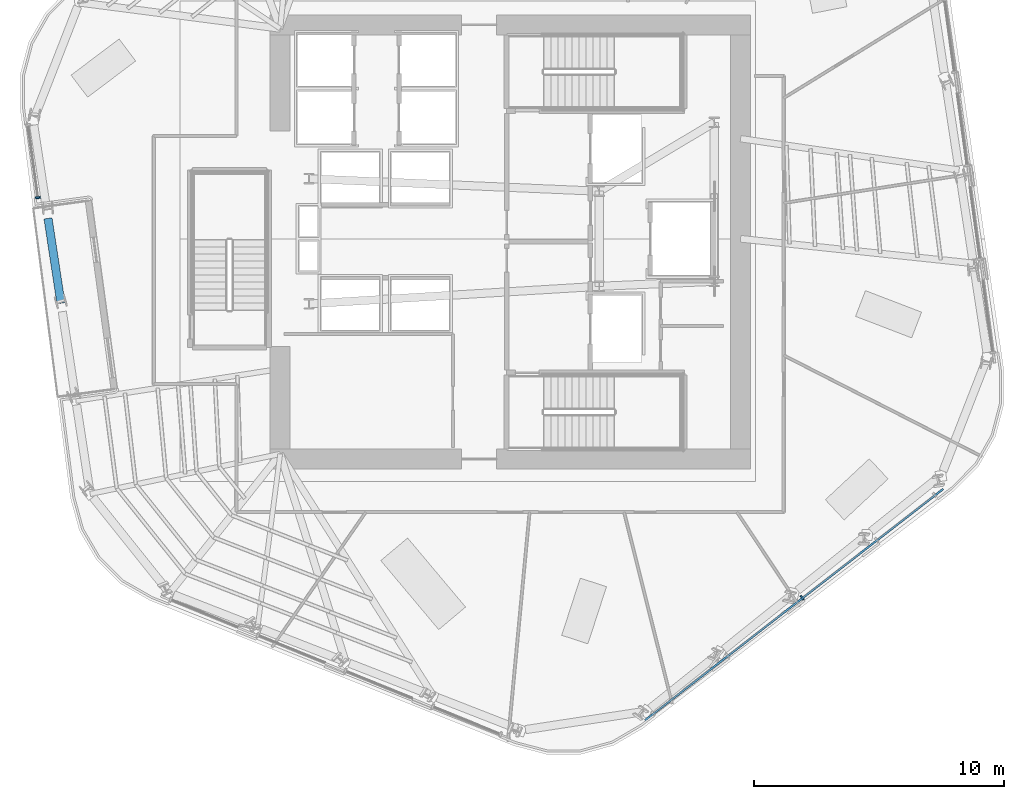
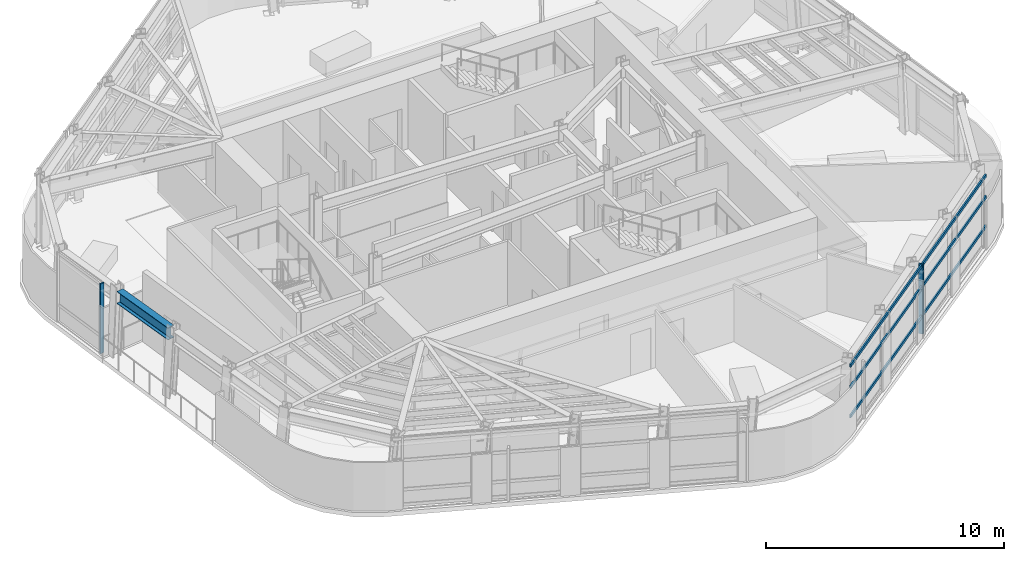
# One storey, part 3 of 15: 5 members, 1 beam, 2 elements without a shape of their own.
"""IFC4 building model written with IfcOpenShell, lengths in metres."""

from ifc_helpers import new_model, si_unit, direction, frame, origin, origin_2d, place, context, subcontext, project, spatial, rectangle, i_section, extrude, material, layer, layer_set, material_profile, profile_set, type_object, element, aggregate, save


model = new_model("IFC4")

# Units and contexts
model_context = context("Model", 3, precision=1e-05, world=origin(), true_north=direction((0.0, 1.0)))
body_context = subcontext(model_context, "Body", "Model", "MODEL_VIEW")
ifc_project = project(units=[si_unit("LENGTHUNIT", "METRE"), si_unit("AREAUNIT", "SQUARE_METRE"), si_unit("VOLUMEUNIT", "CUBIC_METRE"), si_unit("PLANEANGLEUNIT", "RADIAN"), si_unit("MASSUNIT", "GRAM", prefix="KILO")], contexts=[model_context])

# Site, building, storey
site_placement = place(None, origin())
site = spatial("IfcSite", under=ifc_project, at=site_placement, CompositionType="ELEMENT")
building_placement = place(site_placement, origin())
building = spatial("IfcBuilding", under=site, at=building_placement, Name="Valkerne Bourse Tower", CompositionType="ELEMENT")
storey_placement = place(building_placement, frame((0.0, 0.0, 185.60009765625)))
storey = spatial("IfcBuildingStorey", under=building, at=storey_placement, Name="L47", CompositionType="ELEMENT", Elevation=185.60009765625)

# Beam
ifc_material_1 = material(Name="Steel ASTM A992", Category="steel")
ifc_material_profile_1 = material_profile(ifc_material_1, i_section(OverallWidth=0.32763671875, OverallDepth=0.62744140625, WebThickness=0.0166015625, FlangeThickness=0.027587890625, FilletRadius=0.020263671875, at=origin_2d()), Name="W24X146")
ifc_profile_set_1 = profile_set([ifc_material_profile_1], Name="Steel ASTM A992")
beam_type = type_object("IfcBeamType", Name="BM-W24X146", PredefinedType="SPANDREL", material=ifc_profile_set_1)
beam_placement = place(storey_placement, frame((28.32080078125, 27.815185546875, 3.26611328125), z_axis=(0.151276483407, -0.988491489881, 0.0), x_axis=(0.988491489881, 0.151276483407, 0.0)))
element("IfcBeam", 1, at=beam_placement, inside=storey, type_object=beam_type, Name="L47 Hexagonal Spandrel Ring Beam 11", PredefinedType="SPANDREL", context=body_context, shape_type="SweptSolid", body=[
    extrude(i_section(OverallWidth=0.32763671875, OverallDepth=0.62744140625, WebThickness=0.0166015625, FlangeThickness=0.027587890625, FilletRadius=0.020263671875, at=origin_2d()), origin(), (0.0, 0.0, 1.0), 3.43115234375),
])

# Curtain wall, member
ifc_material_2 = material(Name="Aluminium AA 6063-T6", Category="aluminium")
ifc_layer = layer(ifc_material_2, 0.235107421875)
ifc_layer_set = layer_set([ifc_layer], Name="Aluminium AA 6063-T6")
curtain_wall_type = type_object("IfcCurtainWallType", Name="CW-03", PredefinedType="NOTDEFINED", material=ifc_layer_set)
curtain_wall_1_placement = place(storey_placement, origin())
curtain_wall_1 = element("IfcCurtainWall", 2, at=curtain_wall_1_placement, inside=storey, type_object=curtain_wall_type, Name="L47 Hexagonal Stick Curtain Wall Face 3", PredefinedType="NOTDEFINED")
ifc_material_profile_2 = material_profile(ifc_material_2, rectangle(XDim=0.074951171875, YDim=0.199951171875, at=origin_2d()), Name="CWM-75X200")
ifc_profile_set_2 = profile_set([ifc_material_profile_2], Name="Aluminium AA 6063-T6")
member_type_1 = type_object("IfcMemberType", Name="CW-MUL-220X75", PredefinedType="MULLION", material=ifc_profile_set_2)
member_1_placement = place(storey_placement, frame((27.9189453125, 28.643798828125, 0.0), z_axis=(0.0, 0.0, 1.0), x_axis=(0.135694217689, -0.990750765473, 0.0)))
member_1 = element("IfcMember", 3, at=member_1_placement, type_object=member_type_1, Name="CW-L47-F3 Jamb Mullion 00B", PredefinedType="MULLION", context=body_context, shape_type="SweptSolid", body=[
    extrude(rectangle(XDim=0.074951171875, YDim=0.199951171875, at=origin_2d()), origin(), (0.0, 0.0, 1.0), 3.579833984375),
])
aggregate(curtain_wall_1, [member_1])

# Curtain wall, members
curtain_wall_2_placement = place(storey_placement, origin())
curtain_wall_2 = element("IfcCurtainWall", 4, at=curtain_wall_2_placement, inside=storey, type_object=curtain_wall_type, Name="L47 Hexagonal Stick Curtain Wall Face 5", PredefinedType="NOTDEFINED")
member_2_placement = place(storey_placement, frame((58.46044921875, 12.65283203125, 0.0), z_axis=(0.0, 0.0, 1.0), x_axis=(0.790154015691, 0.612908338569, 0.0)))
member_2 = element("IfcMember", 5, at=member_2_placement, type_object=member_type_1, Name="CW-L47-F5 Jamb Mullion 02A", PredefinedType="MULLION", context=body_context, shape_type="SweptSolid", body=[
    extrude(rectangle(XDim=0.074951171875, YDim=0.199951171875, at=origin_2d()), origin(), (0.0, 0.0, 1.0), 3.579833984375),
])
ifc_material_profile_3 = material_profile(ifc_material_2, rectangle(XDim=0.074951171875, YDim=0.14990234375, at=origin_2d()), Name="CWT-75X150")
ifc_profile_set_3 = profile_set([ifc_material_profile_3], Name="Aluminium AA 6063-T6")
member_type_2 = type_object("IfcMemberType", Name="CW-TRN-180X65", PredefinedType="USERDEFINED", material=ifc_profile_set_3)
member_3_placement = place(storey_placement, frame((52.181396484375, 7.757080078125, 0.89990234375), z_axis=(0.790154213245, 0.612908083885, 0.0), x_axis=(-0.612908083885, 0.790154213245, 0.0)))
member_3 = element("IfcMember", 6, at=member_3_placement, type_object=member_type_2, Name="CW-L47-F5 Continuous Face Transom 2", ObjectType="TRANSOM", PredefinedType="USERDEFINED", context=body_context, shape_type="SweptSolid", body=[
    extrude(rectangle(XDim=0.074951171875, YDim=0.14990234375, at=origin_2d()), origin(), (0.0, 0.0, 1.0), 15.083984375),
])
member_4_placement = place(storey_placement, frame((52.181396484375, 7.757080078125, 2.39990234375), z_axis=(0.790154213245, 0.612908083885, 0.0), x_axis=(-0.612908083885, 0.790154213245, 0.0)))
member_4 = element("IfcMember", 7, at=member_4_placement, type_object=member_type_2, Name="CW-L47-F5 Continuous Face Transom 3", ObjectType="TRANSOM", PredefinedType="USERDEFINED", context=body_context, shape_type="SweptSolid", body=[
    extrude(rectangle(XDim=0.074951171875, YDim=0.14990234375, at=origin_2d()), origin(), (0.0, 0.0, 1.0), 15.083984375),
])
member_5_placement = place(storey_placement, frame((52.181396484375, 7.757080078125, 3.5), z_axis=(0.790154213245, 0.612908083885, 0.0), x_axis=(-0.612908083885, 0.790154213245, 0.0)))
member_5 = element("IfcMember", 8, at=member_5_placement, type_object=member_type_2, Name="CW-L47-F5 Continuous Face Transom 4", ObjectType="TRANSOM", PredefinedType="USERDEFINED", context=body_context, shape_type="SweptSolid", body=[
    extrude(rectangle(XDim=0.074951171875, YDim=0.14990234375, at=origin_2d()), origin(), (0.0, 0.0, 1.0), 15.083984375),
])
aggregate(curtain_wall_2, [member_3, member_4, member_5, member_2])

save(model, "model.ifc")
